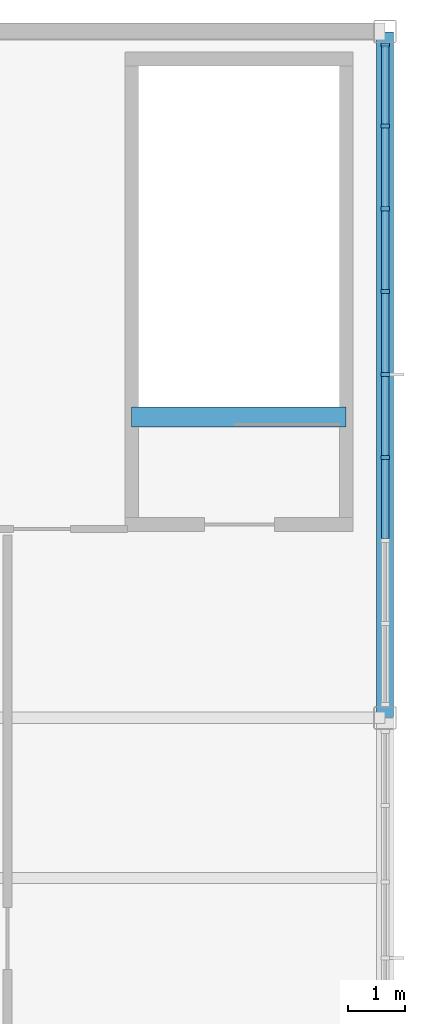
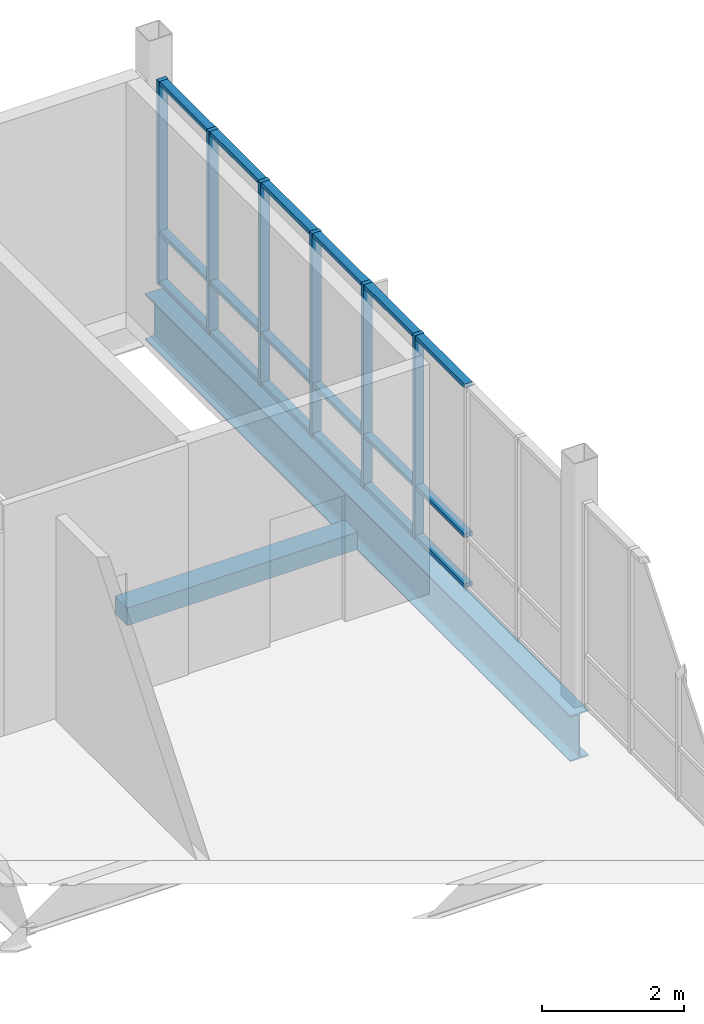
# One storey, part 8 of 15: 24 members, 2 beams, 1 element without a shape of its own.
"""IFC4 building model written with IfcOpenShell, lengths in metres."""

from ifc_helpers import new_model, si_unit, direction, frame, origin, origin_2d, place, context, subcontext, project, spatial, rectangle, i_section, extrude, material, layer, layer_set, material_profile, profile_set, type_object, element, aggregate, save


model = new_model("IFC4")

# Units and contexts
model_context = context("Model", 3, precision=1e-05, world=origin(), true_north=direction((0.0, 1.0)))
body_context = subcontext(model_context, "Body", "Model", "MODEL_VIEW")
ifc_project = project(units=[si_unit("LENGTHUNIT", "METRE"), si_unit("AREAUNIT", "SQUARE_METRE"), si_unit("VOLUMEUNIT", "CUBIC_METRE"), si_unit("PLANEANGLEUNIT", "RADIAN"), si_unit("MASSUNIT", "GRAM", prefix="KILO")], contexts=[model_context])

# Site, building, storey
site_placement = place(None, origin())
site = spatial("IfcSite", under=ifc_project, at=site_placement, CompositionType="ELEMENT")
building_placement = place(site_placement, origin())
building = spatial("IfcBuilding", under=site, at=building_placement, Name="Yukiwa Park Conservatory and Herbarium", CompositionType="ELEMENT")
storey_placement = place(building_placement, frame((0.0, 0.0, 61.199951171875)))
storey = spatial("IfcBuildingStorey", under=building, at=storey_placement, Name="L16", CompositionType="ELEMENT", Elevation=61.199951171875)

# Beams
ifc_material_1 = material(Name="Steel Q355D", Category="steel")
ifc_material_profile_1 = material_profile(ifc_material_1, i_section(OverallWidth=0.300048828125, OverallDepth=0.7919921875, WebThickness=0.013916015625, FlangeThickness=0.02197265625, FilletRadius=0.028076171875, at=origin_2d()), Name="HN 792x300x14x22")
ifc_profile_set_1 = profile_set([ifc_material_profile_1], Name="Steel Q355D")
beam_type_1 = type_object("IfcBeamType", Name="BM-SPN-HN600", PredefinedType="SPANDREL", material=ifc_profile_set_1)
beam_1_placement = place(storey_placement, frame((168.0, 103.2060546875, -0.666015625), z_axis=(0.0, 1.0, 0.0), x_axis=(-1.0, 0.0, 0.0)))
element("IfcBeam", 1, at=beam_1_placement, inside=storey, type_object=beam_type_1, Name="L16 spandrel girder Y-31", PredefinedType="SPANDREL", context=body_context, shape_type="SweptSolid", body=[
    extrude(i_section(OverallWidth=0.300048828125, OverallDepth=0.7919921875, WebThickness=0.013916015625, FlangeThickness=0.02197265625, FilletRadius=0.028076171875, at=origin_2d()), origin(), (0.0, 0.0, 1.0), 11.988037109375),
])
ifc_material_2 = material(Name="Concrete C40", Category="concrete")
ifc_material_profile_2 = material_profile(ifc_material_2, rectangle(XDim=0.35009765625, YDim=0.300048828125, at=origin_2d()), Name="RC 350x300")
ifc_profile_set_2 = profile_set([ifc_material_profile_2], Name="Concrete C40")
beam_type_2 = type_object("IfcBeamType", Name="BM-STAIR-TRIM", PredefinedType="BEAM", material=ifc_profile_set_2)
beam_2_placement = place(storey_placement, frame((163.570068359375, 108.4599609375, -0.14990234375), z_axis=(1.0, 0.0, 0.0), x_axis=(0.0, 1.0, 0.0)))
element("IfcBeam", 2, at=beam_2_placement, inside=storey, type_object=beam_type_2, Name="Stair ST-T3 L16 landing trimmer beam", PredefinedType="BEAM", context=body_context, shape_type="SweptSolid", body=[
    extrude(rectangle(XDim=0.35009765625, YDim=0.300048828125, at=origin_2d()), origin(), (0.0, 0.0, 1.0), 3.75),
])

# Curtain wall, members
ifc_material_3 = material(Name="Triple Low-E Insulated Glass", Category="glass")
ifc_layer = layer(ifc_material_3, 0.2119140625)
ifc_layer_set = layer_set([ifc_layer], Name="Triple Low-E Insulated Glass")
curtain_wall_type = type_object("IfcCurtainWallType", Name="CW-TOWER-SKY-1400", PredefinedType="NOTDEFINED", material=ifc_layer_set)
curtain_wall_placement = place(storey_placement, origin())
curtain_wall = element("IfcCurtainWall", 3, at=curtain_wall_placement, inside=storey, type_object=curtain_wall_type, Name="L16 unitised curtain wall CW-L16-151", PredefinedType="NOTDEFINED")
ifc_material_4 = material(Name="Anodised Aluminium", Category="aluminium")
member_type_1 = type_object("IfcMemberType", Name="MB-CW-MUL-70X150", PredefinedType="MULLION", material=ifc_material_4)
member_1_placement = place(storey_placement, frame((168.0, 107.75, 0.0), z_axis=(0.0, 0.0, 1.0), x_axis=(0.0, 1.0, 0.0)))
member_1 = element("IfcMember", 4, at=member_1_placement, type_object=member_type_1, Name="CW-L16-151 mullion 4", PredefinedType="MULLION", context=body_context, shape_type="SweptSolid", body=[
    extrude(rectangle(XDim=0.070068359375, YDim=0.14990234375, at=origin_2d()), origin(), (0.0, 0.0, 1.0), 3.510009765625),
])
member_2_placement = place(storey_placement, frame((168.0, 109.199951171875, 0.0), z_axis=(0.0, 0.0, 1.0), x_axis=(0.0, 1.0, 0.0)))
member_2 = element("IfcMember", 5, at=member_2_placement, type_object=member_type_1, Name="CW-L16-151 mullion 5", PredefinedType="MULLION", context=body_context, shape_type="SweptSolid", body=[
    extrude(rectangle(XDim=0.070068359375, YDim=0.14990234375, at=origin_2d()), origin(), (0.0, 0.0, 1.0), 3.510009765625),
])
member_3_placement = place(storey_placement, frame((168.0, 110.64990234375, 0.0), z_axis=(0.0, 0.0, 1.0), x_axis=(0.0, 1.0, 0.0)))
member_3 = element("IfcMember", 6, at=member_3_placement, type_object=member_type_1, Name="CW-L16-151 mullion 6", PredefinedType="MULLION", context=body_context, shape_type="SweptSolid", body=[
    extrude(rectangle(XDim=0.070068359375, YDim=0.14990234375, at=origin_2d()), origin(), (0.0, 0.0, 1.0), 3.510009765625),
])
member_4_placement = place(storey_placement, frame((168.0, 112.10009765625, 0.0), z_axis=(0.0, 0.0, 1.0), x_axis=(0.0, 1.0, 0.0)))
member_4 = element("IfcMember", 7, at=member_4_placement, type_object=member_type_1, Name="CW-L16-151 mullion 7", PredefinedType="MULLION", context=body_context, shape_type="SweptSolid", body=[
    extrude(rectangle(XDim=0.070068359375, YDim=0.14990234375, at=origin_2d()), origin(), (0.0, 0.0, 1.0), 3.510009765625),
])
member_5_placement = place(storey_placement, frame((168.0, 113.550048828125, 0.0), z_axis=(0.0, 0.0, 1.0), x_axis=(0.0, 1.0, 0.0)))
member_5 = element("IfcMember", 8, at=member_5_placement, type_object=member_type_1, Name="CW-L16-151 mullion 8", PredefinedType="MULLION", context=body_context, shape_type="SweptSolid", body=[
    extrude(rectangle(XDim=0.070068359375, YDim=0.14990234375, at=origin_2d()), origin(), (0.0, 0.0, 1.0), 3.510009765625),
])
member_6_placement = place(storey_placement, frame((168.0, 114.965087890625, 0.0), z_axis=(0.0, 0.0, 1.0), x_axis=(0.0, 1.0, 0.0)))
member_6 = element("IfcMember", 9, at=member_6_placement, type_object=member_type_1, Name="CW-L16-151 mullion 9", PredefinedType="MULLION", context=body_context, shape_type="SweptSolid", body=[
    extrude(rectangle(XDim=0.070068359375, YDim=0.14990234375, at=origin_2d()), origin(), (0.0, 0.0, 1.0), 3.510009765625),
])
ifc_material_5 = material(Name="Anodised Aluminium", Category="aluminium")
member_type_2 = type_object("IfcMemberType", Name="MB-CW-TRN-70X130", PredefinedType="USERDEFINED", material=ifc_material_5)
member_7_placement = place(storey_placement, frame((168.0, 107.02490234375, 0.0), z_axis=(0.0, 0.0, 1.0), x_axis=(0.0, 1.0, 0.0)))
member_7 = element("IfcMember", 10, at=member_7_placement, type_object=member_type_2, Name="CW-L16-151 transom 3.1", ObjectType="TRANSOM", PredefinedType="USERDEFINED", context=body_context, shape_type="SweptSolid", body=[
    extrude(rectangle(XDim=1.3798828125, YDim=0.1298828125, at=origin_2d()), origin(), (0.0, 0.0, 1.0), 0.070068359375),
])
member_8_placement = place(storey_placement, frame((168.0, 107.02490234375, 0.865234375), z_axis=(0.0, 0.0, 1.0), x_axis=(0.0, 1.0, 0.0)))
member_8 = element("IfcMember", 11, at=member_8_placement, type_object=member_type_2, Name="CW-L16-151 transom 3.2", ObjectType="TRANSOM", PredefinedType="USERDEFINED", context=body_context, shape_type="SweptSolid", body=[
    extrude(rectangle(XDim=1.3798828125, YDim=0.1298828125, at=origin_2d()), origin(), (0.0, 0.0, 1.0), 0.070068359375),
])
member_9_placement = place(storey_placement, frame((168.0, 107.02490234375, 3.43994140625), z_axis=(0.0, 0.0, 1.0), x_axis=(0.0, 1.0, 0.0)))
member_9 = element("IfcMember", 12, at=member_9_placement, type_object=member_type_2, Name="CW-L16-151 transom 3.3", ObjectType="TRANSOM", PredefinedType="USERDEFINED", context=body_context, shape_type="SweptSolid", body=[
    extrude(rectangle(XDim=1.3798828125, YDim=0.1298828125, at=origin_2d()), origin(), (0.0, 0.0, 1.0), 0.070068359375),
])
member_10_placement = place(storey_placement, frame((168.0, 108.47509765625, 0.0), z_axis=(0.0, 0.0, 1.0), x_axis=(0.0, 1.0, 0.0)))
member_10 = element("IfcMember", 13, at=member_10_placement, type_object=member_type_2, Name="CW-L16-151 transom 4.1", ObjectType="TRANSOM", PredefinedType="USERDEFINED", context=body_context, shape_type="SweptSolid", body=[
    extrude(rectangle(XDim=1.3798828125, YDim=0.1298828125, at=origin_2d()), origin(), (0.0, 0.0, 1.0), 0.070068359375),
])
member_11_placement = place(storey_placement, frame((168.0, 108.47509765625, 0.865234375), z_axis=(0.0, 0.0, 1.0), x_axis=(0.0, 1.0, 0.0)))
member_11 = element("IfcMember", 14, at=member_11_placement, type_object=member_type_2, Name="CW-L16-151 transom 4.2", ObjectType="TRANSOM", PredefinedType="USERDEFINED", context=body_context, shape_type="SweptSolid", body=[
    extrude(rectangle(XDim=1.3798828125, YDim=0.1298828125, at=origin_2d()), origin(), (0.0, 0.0, 1.0), 0.070068359375),
])
member_12_placement = place(storey_placement, frame((168.0, 108.47509765625, 3.43994140625), z_axis=(0.0, 0.0, 1.0), x_axis=(0.0, 1.0, 0.0)))
member_12 = element("IfcMember", 15, at=member_12_placement, type_object=member_type_2, Name="CW-L16-151 transom 4.3", ObjectType="TRANSOM", PredefinedType="USERDEFINED", context=body_context, shape_type="SweptSolid", body=[
    extrude(rectangle(XDim=1.3798828125, YDim=0.1298828125, at=origin_2d()), origin(), (0.0, 0.0, 1.0), 0.070068359375),
])
member_13_placement = place(storey_placement, frame((168.0, 109.925048828125, 0.0), z_axis=(0.0, 0.0, 1.0), x_axis=(0.0, 1.0, 0.0)))
member_13 = element("IfcMember", 16, at=member_13_placement, type_object=member_type_2, Name="CW-L16-151 transom 5.1", ObjectType="TRANSOM", PredefinedType="USERDEFINED", context=body_context, shape_type="SweptSolid", body=[
    extrude(rectangle(XDim=1.3798828125, YDim=0.1298828125, at=origin_2d()), origin(), (0.0, 0.0, 1.0), 0.070068359375),
])
member_14_placement = place(storey_placement, frame((168.0, 109.925048828125, 0.865234375), z_axis=(0.0, 0.0, 1.0), x_axis=(0.0, 1.0, 0.0)))
member_14 = element("IfcMember", 17, at=member_14_placement, type_object=member_type_2, Name="CW-L16-151 transom 5.2", ObjectType="TRANSOM", PredefinedType="USERDEFINED", context=body_context, shape_type="SweptSolid", body=[
    extrude(rectangle(XDim=1.3798828125, YDim=0.1298828125, at=origin_2d()), origin(), (0.0, 0.0, 1.0), 0.070068359375),
])
member_15_placement = place(storey_placement, frame((168.0, 109.925048828125, 3.43994140625), z_axis=(0.0, 0.0, 1.0), x_axis=(0.0, 1.0, 0.0)))
member_15 = element("IfcMember", 18, at=member_15_placement, type_object=member_type_2, Name="CW-L16-151 transom 5.3", ObjectType="TRANSOM", PredefinedType="USERDEFINED", context=body_context, shape_type="SweptSolid", body=[
    extrude(rectangle(XDim=1.3798828125, YDim=0.1298828125, at=origin_2d()), origin(), (0.0, 0.0, 1.0), 0.070068359375),
])
member_16_placement = place(storey_placement, frame((168.0, 111.375, 0.0), z_axis=(0.0, 0.0, 1.0), x_axis=(0.0, 1.0, 0.0)))
member_16 = element("IfcMember", 19, at=member_16_placement, type_object=member_type_2, Name="CW-L16-151 transom 6.1", ObjectType="TRANSOM", PredefinedType="USERDEFINED", context=body_context, shape_type="SweptSolid", body=[
    extrude(rectangle(XDim=1.3798828125, YDim=0.1298828125, at=origin_2d()), origin(), (0.0, 0.0, 1.0), 0.070068359375),
])
member_17_placement = place(storey_placement, frame((168.0, 111.375, 0.865234375), z_axis=(0.0, 0.0, 1.0), x_axis=(0.0, 1.0, 0.0)))
member_17 = element("IfcMember", 20, at=member_17_placement, type_object=member_type_2, Name="CW-L16-151 transom 6.2", ObjectType="TRANSOM", PredefinedType="USERDEFINED", context=body_context, shape_type="SweptSolid", body=[
    extrude(rectangle(XDim=1.3798828125, YDim=0.1298828125, at=origin_2d()), origin(), (0.0, 0.0, 1.0), 0.070068359375),
])
member_18_placement = place(storey_placement, frame((168.0, 111.375, 3.43994140625), z_axis=(0.0, 0.0, 1.0), x_axis=(0.0, 1.0, 0.0)))
member_18 = element("IfcMember", 21, at=member_18_placement, type_object=member_type_2, Name="CW-L16-151 transom 6.3", ObjectType="TRANSOM", PredefinedType="USERDEFINED", context=body_context, shape_type="SweptSolid", body=[
    extrude(rectangle(XDim=1.3798828125, YDim=0.1298828125, at=origin_2d()), origin(), (0.0, 0.0, 1.0), 0.070068359375),
])
member_19_placement = place(storey_placement, frame((168.0, 112.824951171875, 0.0), z_axis=(0.0, 0.0, 1.0), x_axis=(0.0, 1.0, 0.0)))
member_19 = element("IfcMember", 22, at=member_19_placement, type_object=member_type_2, Name="CW-L16-151 transom 7.1", ObjectType="TRANSOM", PredefinedType="USERDEFINED", context=body_context, shape_type="SweptSolid", body=[
    extrude(rectangle(XDim=1.3798828125, YDim=0.1298828125, at=origin_2d()), origin(), (0.0, 0.0, 1.0), 0.070068359375),
])
member_20_placement = place(storey_placement, frame((168.0, 112.824951171875, 0.865234375), z_axis=(0.0, 0.0, 1.0), x_axis=(0.0, 1.0, 0.0)))
member_20 = element("IfcMember", 23, at=member_20_placement, type_object=member_type_2, Name="CW-L16-151 transom 7.2", ObjectType="TRANSOM", PredefinedType="USERDEFINED", context=body_context, shape_type="SweptSolid", body=[
    extrude(rectangle(XDim=1.3798828125, YDim=0.1298828125, at=origin_2d()), origin(), (0.0, 0.0, 1.0), 0.070068359375),
])
member_21_placement = place(storey_placement, frame((168.0, 112.824951171875, 3.43994140625), z_axis=(0.0, 0.0, 1.0), x_axis=(0.0, 1.0, 0.0)))
member_21 = element("IfcMember", 24, at=member_21_placement, type_object=member_type_2, Name="CW-L16-151 transom 7.3", ObjectType="TRANSOM", PredefinedType="USERDEFINED", context=body_context, shape_type="SweptSolid", body=[
    extrude(rectangle(XDim=1.3798828125, YDim=0.1298828125, at=origin_2d()), origin(), (0.0, 0.0, 1.0), 0.070068359375),
])
member_22_placement = place(storey_placement, frame((168.0, 114.27490234375, 0.0), z_axis=(0.0, 0.0, 1.0), x_axis=(0.0, 1.0, 0.0)))
member_22 = element("IfcMember", 25, at=member_22_placement, type_object=member_type_2, Name="CW-L16-151 transom 8.1", ObjectType="TRANSOM", PredefinedType="USERDEFINED", context=body_context, shape_type="SweptSolid", body=[
    extrude(rectangle(XDim=1.3798828125, YDim=0.1298828125, at=origin_2d()), origin(), (0.0, 0.0, 1.0), 0.070068359375),
])
member_23_placement = place(storey_placement, frame((168.0, 114.27490234375, 0.865234375), z_axis=(0.0, 0.0, 1.0), x_axis=(0.0, 1.0, 0.0)))
member_23 = element("IfcMember", 26, at=member_23_placement, type_object=member_type_2, Name="CW-L16-151 transom 8.2", ObjectType="TRANSOM", PredefinedType="USERDEFINED", context=body_context, shape_type="SweptSolid", body=[
    extrude(rectangle(XDim=1.3798828125, YDim=0.1298828125, at=origin_2d()), origin(), (0.0, 0.0, 1.0), 0.070068359375),
])
member_24_placement = place(storey_placement, frame((168.0, 114.27490234375, 3.43994140625), z_axis=(0.0, 0.0, 1.0), x_axis=(0.0, 1.0, 0.0)))
member_24 = element("IfcMember", 27, at=member_24_placement, type_object=member_type_2, Name="CW-L16-151 transom 8.3", ObjectType="TRANSOM", PredefinedType="USERDEFINED", context=body_context, shape_type="SweptSolid", body=[
    extrude(rectangle(XDim=1.3798828125, YDim=0.1298828125, at=origin_2d()), origin(), (0.0, 0.0, 1.0), 0.070068359375),
])
aggregate(curtain_wall, [member_1, member_2, member_3, member_4, member_5, member_6, member_7, member_8, member_9, member_10, member_11, member_12, member_13, member_14, member_15, member_16, member_17, member_18, member_19, member_20, member_21, member_22, member_23, member_24])

save(model, "model.ifc")
